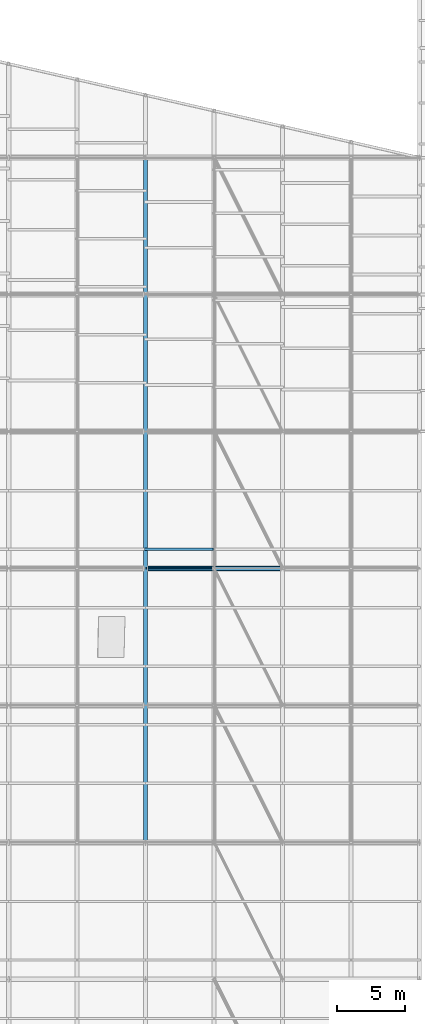
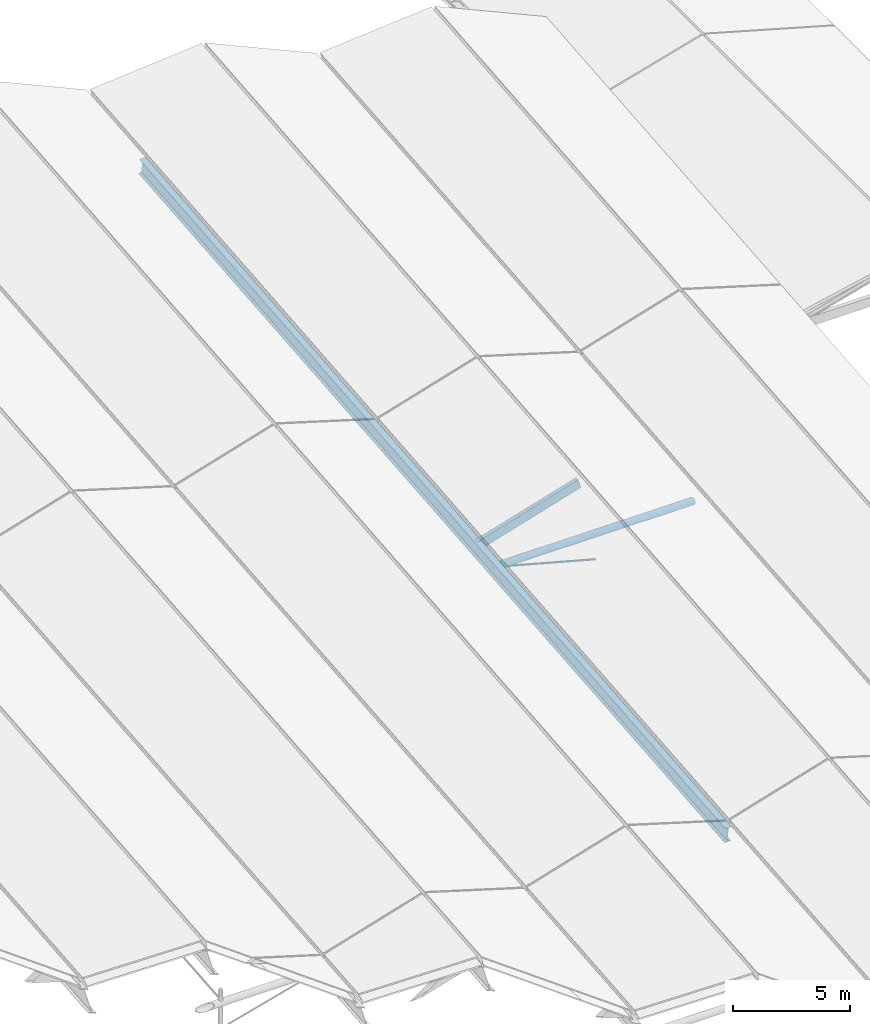
# One storey, part 37 of 90: 2 beams, 2 members.
"""IFC4 building model written with IfcOpenShell, lengths in metres."""

from ifc_helpers import new_model, si_unit, direction, frame, origin, origin_2d, place, context, subcontext, project, spatial, rectangle, circle, hollow_circle, i_section, extrude, material, material_profile, profile_set, type_object, element, save


model = new_model("IFC4")

# Units and contexts
model_context = context("Model", 3, precision=1e-05, world=origin(), true_north=direction((0.0, 1.0)))
body_context = subcontext(model_context, "Body", "Model", "MODEL_VIEW")
ifc_project = project(units=[si_unit("LENGTHUNIT", "METRE"), si_unit("AREAUNIT", "SQUARE_METRE"), si_unit("VOLUMEUNIT", "CUBIC_METRE"), si_unit("PLANEANGLEUNIT", "RADIAN"), si_unit("MASSUNIT", "GRAM", prefix="KILO"), si_unit("THERMODYNAMICTEMPERATUREUNIT", "KELVIN"), si_unit("POWERUNIT", "WATT")], contexts=[model_context])

# Site, building, storey
site_placement = place(None, origin())
site = spatial("IfcSite", under=ifc_project, at=site_placement, CompositionType="ELEMENT")
building_placement = place(site_placement, origin())
building = spatial("IfcBuilding", under=site, at=building_placement, Name="Korenveer Ferry Terminal", CompositionType="ELEMENT")
storey_placement = place(building_placement, frame((0.0, 0.0, 22.199951171875)))
storey = spatial("IfcBuildingStorey", under=building, at=storey_placement, Name="RF", CompositionType="ELEMENT", Elevation=22.199951171875)

# Beam
ifc_material_1 = material(Name="Steel S355", Category="steel")
ifc_material_profile_1 = material_profile(ifc_material_1, i_section(OverallWidth=0.300048828125, OverallDepth=0.800048828125, WebThickness=0.017578125, FlangeThickness=0.032958984375, FilletRadius=0.030029296875, at=origin_2d()), Name="HEB 800")
ifc_profile_set_1 = profile_set([ifc_material_profile_1], Name="Steel S355")
beam_type_1 = type_object("IfcBeamType", Name="STR-BM-HEB800", PredefinedType="BEAM", material=ifc_profile_set_1)
beam_1_placement = place(storey_placement, frame((103.0, 50.0, -8.677734375), z_axis=(0.0, 0.995902926336, 0.09042876376), x_axis=(-1.0, 0.0, 0.0)))
element("IfcBeam", 1, at=beam_1_placement, inside=storey, type_object=beam_type_1, Name="Folded roof valley girder 46", PredefinedType="BEAM", context=body_context, shape_type="SweptSolid", body=[
    extrude(i_section(OverallWidth=0.300048828125, OverallDepth=0.800048828125, WebThickness=0.017578125, FlangeThickness=0.032958984375, FilletRadius=0.030029296875, at=origin_2d()), origin(), (0.0, 0.0, 1.0), 50.205810546875),
])

# Members
ifc_material_2 = material(Name="High-strength steel S460", Category="steel")
ifc_material_profile_2 = material_profile(ifc_material_2, circle(Radius=0.0380859375, at=origin_2d()), Name="ROD D76")
ifc_profile_set_2 = profile_set([ifc_material_profile_2], Name="High-strength steel S460")
member_type_1 = type_object("IfcMemberType", Name="STR-CBL-D76", PredefinedType="USERDEFINED", material=ifc_profile_set_2)
member_1_placement = place(storey_placement, frame((103.0, 70.0, -6.861572265625), z_axis=(0.965424337217, 0.0, -0.260683426993), x_axis=(0.0, 1.0, 0.0)))
element("IfcMember", 2, at=member_1_placement, inside=storey, type_object=member_type_1, Name="Roof tension tie cable 53", ObjectType="CABLE", PredefinedType="USERDEFINED", context=body_context, shape_type="SweptSolid", body=[
    extrude(circle(Radius=0.0380859375, at=origin_2d()), origin(), (0.0, 0.0, 1.0), 5.178955078125),
])
ifc_material_3 = material(Name="Glulam GL28h", Category="wood")
ifc_material_profile_3 = material_profile(ifc_material_3, rectangle(XDim=0.199951171875, YDim=0.47998046875, at=origin_2d()), Name="GL 200x480")
ifc_profile_set_3 = profile_set([ifc_material_profile_3], Name="Glulam GL28h")
member_type_2 = type_object("IfcMemberType", Name="STR-PUR-GL200", PredefinedType="PURLIN", material=ifc_profile_set_3)
member_2_placement = place(storey_placement, frame((103.0, 71.4072265625, -6.575439453125), z_axis=(0.957323074362, 0.0, 0.289019949647), x_axis=(0.0, 1.0, 0.0)))
element("IfcMember", 3, at=member_2_placement, inside=storey, type_object=member_type_2, Name="Folded roof glulam purlin 197", PredefinedType="PURLIN", context=body_context, shape_type="SweptSolid", body=[
    extrude(rectangle(XDim=0.199951171875, YDim=0.47998046875, at=origin_2d()), origin(), (0.0, 0.0, 1.0), 5.222900390625),
])

# Beam
ifc_material_profile_4 = material_profile(ifc_material_1, hollow_circle(Radius=0.177734375, WallThickness=0.01611328125, at=origin_2d()), Name="CHS 355.6x16")
ifc_profile_set_4 = profile_set([ifc_material_profile_4], Name="Steel S355")
beam_type_2 = type_object("IfcBeamType", Name="STR-RFG-CHS355", PredefinedType="USERDEFINED", material=ifc_profile_set_4)
beam_2_placement = place(storey_placement, frame((103.159912109375, 70.0, -6.861572265625), z_axis=(1.0, 0.0, 0.0), x_axis=(0.0, 1.0, 0.0)))
element("IfcBeam", 4, at=beam_2_placement, inside=storey, type_object=beam_type_2, Name="Roof transverse tie girder 115", ObjectType="ROOF GIRDER", PredefinedType="USERDEFINED", context=body_context, shape_type="SweptSolid", body=[
    extrude(hollow_circle(Radius=0.177734375, WallThickness=0.01611328125, at=origin_2d()), origin(), (0.0, 0.0, 1.0), 9.68017578125),
])

save(model, "model.ifc")
